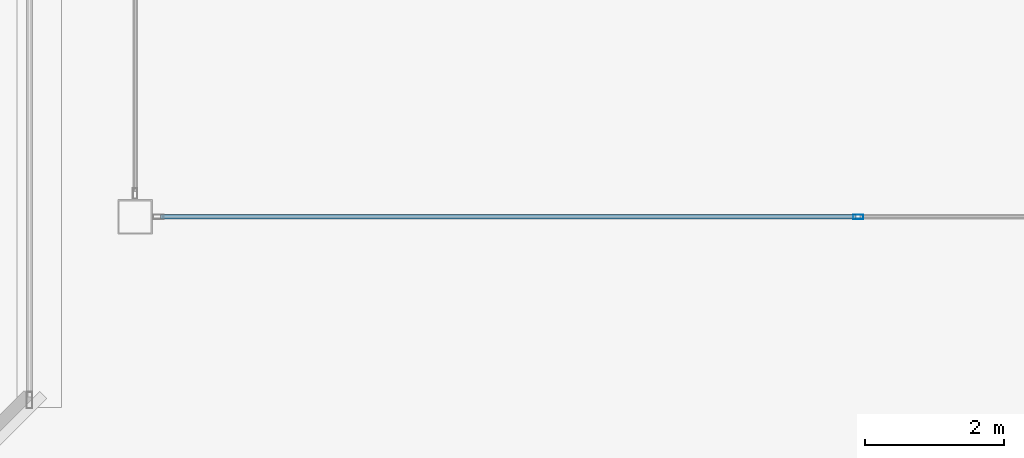
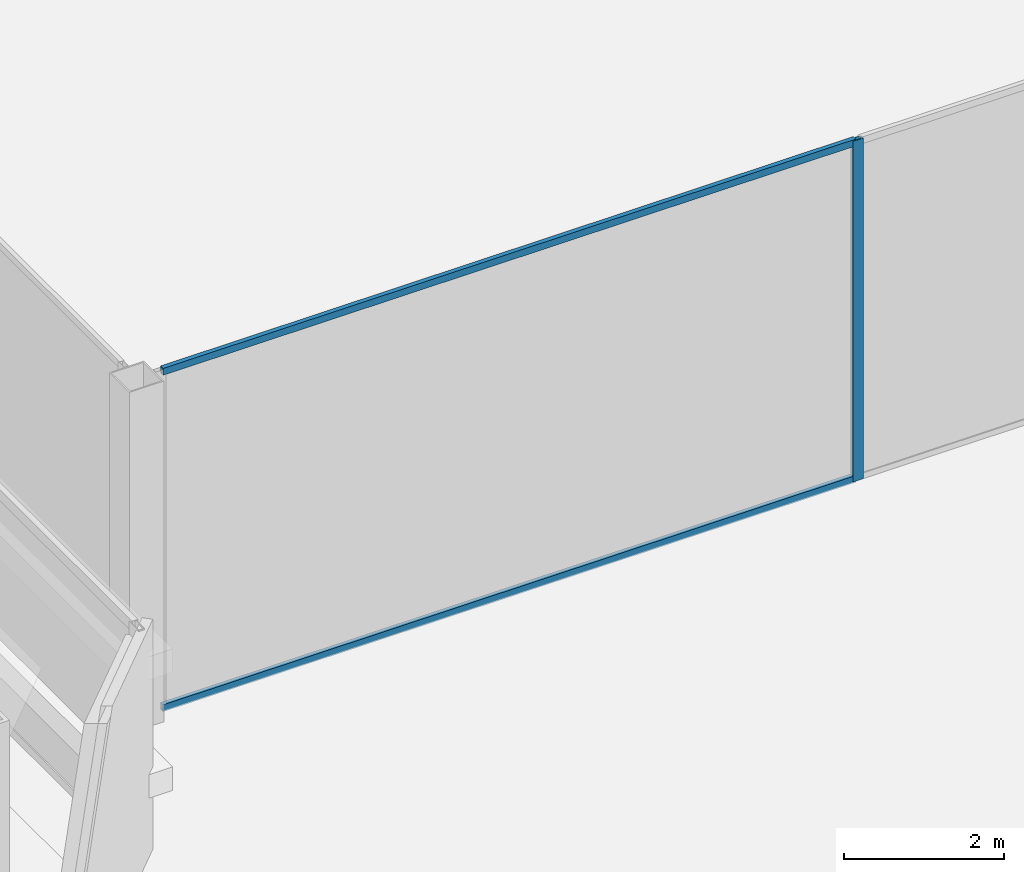
# One storey, part 24 of 83: 3 members, 1 element without a shape of its own.
"""IFC4 building model written with IfcOpenShell, lengths in metres."""

from ifc_helpers import new_model, si_unit, direction, frame, origin, origin_2d, place, context, subcontext, project, spatial, hollow_rectangle, extrude, material, material_profile, profile_set, type_object, element, aggregate, save


model = new_model("IFC4")

# Units and contexts
model_context = context("Model", 3, precision=1e-05, world=origin(), true_north=direction((0.0, 1.0)))
body_context = subcontext(model_context, "Body", "Model", "MODEL_VIEW")
ifc_project = project(units=[si_unit("LENGTHUNIT", "METRE"), si_unit("AREAUNIT", "SQUARE_METRE"), si_unit("VOLUMEUNIT", "CUBIC_METRE"), si_unit("PLANEANGLEUNIT", "RADIAN"), si_unit("MASSUNIT", "GRAM", prefix="KILO")], contexts=[model_context])

# Site, building, storey
site_placement = place(None, origin())
site = spatial("IfcSite", under=ifc_project, at=site_placement, CompositionType="ELEMENT")
building_placement = place(site_placement, origin())
building = spatial("IfcBuilding", under=site, at=building_placement, Name="Tashvorn Skyway Center", CompositionType="ELEMENT")
storey_placement = place(building_placement, frame((0.0, 0.0, 24.60009765625)))
storey = spatial("IfcBuildingStorey", under=building, at=storey_placement, Name="L05", CompositionType="ELEMENT", Elevation=24.60009765625)

# Curtain wall, members
ifc_material = material(Name="Thermally broken bronze-anodized aluminium 6063-T6", Category="aluminium")
curtain_wall_type = type_object("IfcCurtainWallType", Name="CW-CW-SKY", PredefinedType="NOTDEFINED", material=ifc_material)
curtain_wall_placement = place(storey_placement, origin())
curtain_wall = element("IfcCurtainWall", 1, at=curtain_wall_placement, inside=storey, type_object=curtain_wall_type, Name="Station Concourse Monitor South Clerestory Curtain Wall", PredefinedType="NOTDEFINED")
ifc_material_profile_1 = material_profile(ifc_material, hollow_rectangle(XDim=0.06494140625, YDim=0.14990234375, WallThickness=0.00390625, at=origin_2d()), Name="ALU-MULL-65x150")
ifc_profile_set_1 = profile_set([ifc_material_profile_1], Name="Thermally broken bronze-anodized aluminium 6063-T6")
member_type_1 = type_object("IfcMemberType", Name="CWM-CW-SKY", PredefinedType="MULLION", material=ifc_profile_set_1)
member_1_placement = place(storey_placement, frame((76.800048828125, 14.800048828125, 0.0), z_axis=(0.0, 0.0, 1.0), x_axis=(0.0, -1.0, 0.0)))
member_1 = element("IfcMember", 2, at=member_1_placement, type_object=member_type_1, Name="CW-SKY mullion 2", PredefinedType="MULLION", context=body_context, shape_type="SweptSolid", body=[
    extrude(hollow_rectangle(XDim=0.06494140625, YDim=0.14990234375, WallThickness=0.00390625, at=origin_2d()), origin(), (0.0, 0.0, 1.0), 5.199951171875),
])
ifc_material_profile_2 = material_profile(ifc_material, hollow_rectangle(XDim=0.06494140625, YDim=0.10498046875, WallThickness=0.00390625, at=origin_2d()), Name="ALU-TRAN-65x105")
ifc_profile_set_2 = profile_set([ifc_material_profile_2], Name="Thermally broken bronze-anodized aluminium 6063-T6")
member_type_2 = type_object("IfcMemberType", Name="CWT-CW-SKY", PredefinedType="USERDEFINED", material=ifc_profile_set_2)
member_2_placement = place(storey_placement, frame((76.767578125, 14.800048828125, 0.032470703125), z_axis=(-1.0, 0.0, 0.0), x_axis=(0.0, -1.0, 0.0)))
member_2 = element("IfcMember", 3, at=member_2_placement, type_object=member_type_2, Name="CW-SKY transom 2.1", ObjectType="TRANSOM", PredefinedType="USERDEFINED", context=body_context, shape_type="SweptSolid", body=[
    extrude(hollow_rectangle(XDim=0.06494140625, YDim=0.10498046875, WallThickness=0.00390625, at=origin_2d()), origin(), (0.0, 0.0, 1.0), 10.002685546875),
])
member_3_placement = place(storey_placement, frame((76.767578125, 14.800048828125, 5.16748046875), z_axis=(-1.0, 0.0, 0.0), x_axis=(0.0, -1.0, 0.0)))
member_3 = element("IfcMember", 4, at=member_3_placement, type_object=member_type_2, Name="CW-SKY transom 2.2", ObjectType="TRANSOM", PredefinedType="USERDEFINED", context=body_context, shape_type="SweptSolid", body=[
    extrude(hollow_rectangle(XDim=0.06494140625, YDim=0.10498046875, WallThickness=0.00390625, at=origin_2d()), origin(), (0.0, 0.0, 1.0), 10.002685546875),
])
aggregate(curtain_wall, [member_1, member_2, member_3])

save(model, "model.ifc")
